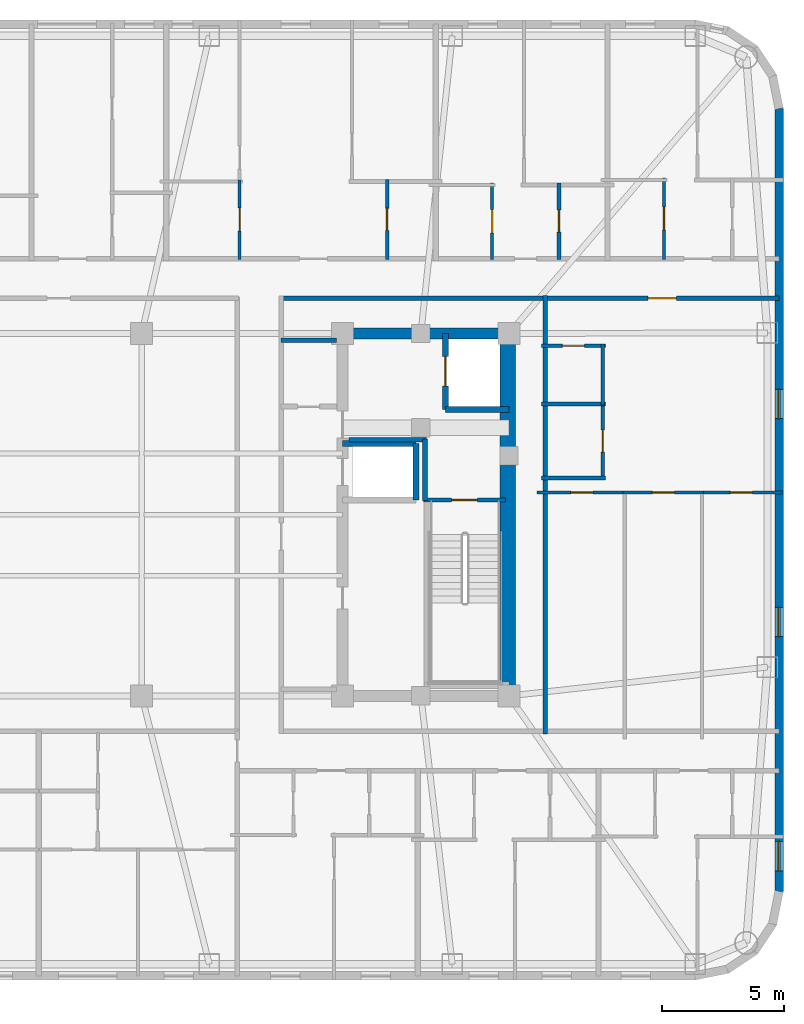
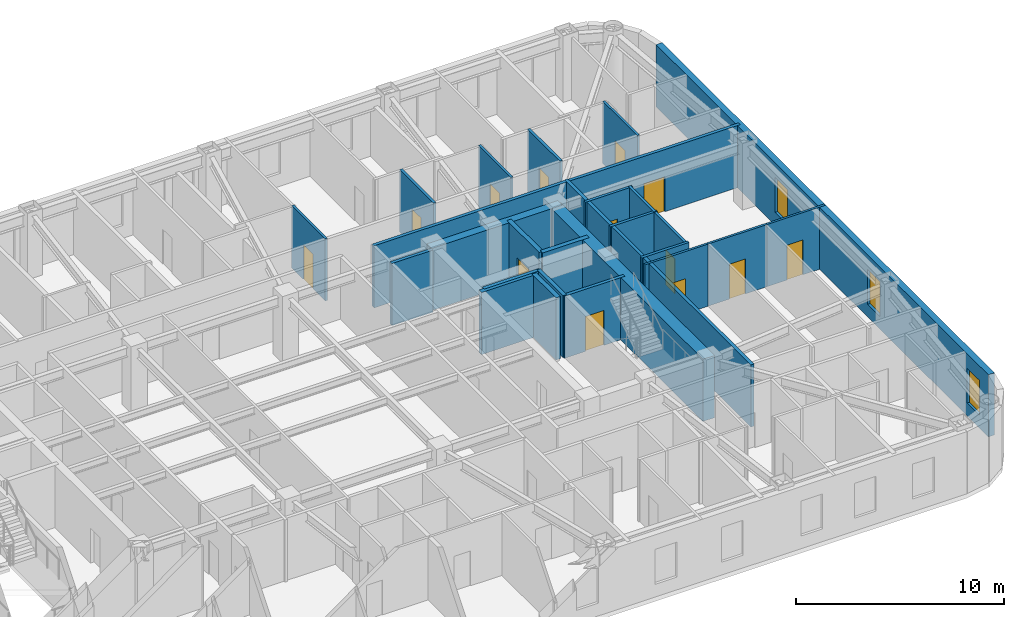
# One storey, part 7 of 11: 26 walls, 13 doors, 3 windows, 16 openings.
"""IFC4 building model written with IfcOpenShell, lengths in metres."""

import ifcopenshell
import ifcopenshell.guid

model = None  # the IFC model being written
_history = None  # IfcOwnerHistory: only IFC2X3 demands one
_inside = {}  # id of a spatial element -> (the spatial element, [elements in it])
_under = {}  # id of a project, library or spatial element -> (it, [spatial elements below it])
_declared = {}  # id of a project -> (the project, [libraries it declares])
_typed = {}  # id of a type object -> (the type object, [elements of that type])
_made_of = {}  # id of a material, layer set ... -> (it, [elements and type objects made of it])


def new_model(schema):
    """Start an empty IFC model of exactly this schema.

    Asked for "IFC4X3", IfcOpenShell would pick the latest addendum, in which some entities
    have other attributes; the version numbers below select the first issue.
    IFC2X3 requires an IfcOwnerHistory on every rooted entity: one is made here for all.
    """
    global model, _history
    if schema == "IFC4X3":
        model = ifcopenshell.file(schema_version=(4, 3, 0, 0))
    else:
        model = ifcopenshell.file(schema=schema)
    _inside.clear()
    _under.clear()
    _declared.clear()
    _typed.clear()
    _made_of.clear()
    _history = None
    if model.schema == "IFC2X3":
        org = make("IfcOrganization", Name="unknown")
        user = make(
            "IfcPersonAndOrganization",
            ThePerson=make("IfcPerson", FamilyName="unknown"),
            TheOrganization=org,
        )
        app = make(
            "IfcApplication",
            ApplicationDeveloper=org,
            Version="unknown",
            ApplicationFullName="unknown",
            ApplicationIdentifier="unknown",
        )
        _history = make(
            "IfcOwnerHistory",
            OwningUser=user,
            OwningApplication=app,
            ChangeAction="ADDED",
            CreationDate=0,
        )
    return model


def make(cls, **values):
    """One entity of the class cls with the attributes given. An attribute that is None is left unset."""
    return model.create_entity(
        cls, **{name: value for name, value in values.items() if value is not None}
    )


def rooted(cls, **values):
    """An entity with a GlobalId (a new one), such as an element, a storey or a relation."""
    return make(cls, GlobalId=ifcopenshell.guid.new(), OwnerHistory=_history, **values)


def si_unit(unit_type, name, prefix=None):
    """IfcSIUnit, for example si_unit("LENGTHUNIT", "METRE", prefix="MILLI")."""
    return make("IfcSIUnit", UnitType=unit_type, Prefix=prefix, Name=name)


def assignment(units):
    """IfcUnitAssignment: the units of a project."""
    return None if units is None else make("IfcUnitAssignment", Units=units)


def point(xyz):
    """IfcCartesianPoint."""
    return None if xyz is None else make("IfcCartesianPoint", Coordinates=xyz)


def direction(xyz):
    """IfcDirection."""
    return None if xyz is None else make("IfcDirection", DirectionRatios=xyz)


def frame(location, z_axis=None, x_axis=None):
    """IfcAxis2Placement3D, a coordinate frame: its origin and axes. An axis left out is left unset."""
    return make(
        "IfcAxis2Placement3D",
        Location=point(location),
        Axis=direction(z_axis),
        RefDirection=direction(x_axis),
    )


def frame_2d(location, x_axis=None):
    """IfcAxis2Placement2D, a coordinate frame in the plane: its origin and x axis."""
    return make(
        "IfcAxis2Placement2D", Location=point(location), RefDirection=direction(x_axis)
    )


def origin():
    """The frame at (0, 0, 0) with its axes left unset."""
    return frame((0.0, 0.0, 0.0))


def place(relative_to, where):
    """IfcLocalPlacement: puts the frame where relative to a parent placement (None: the world)."""
    return make(
        "IfcLocalPlacement", PlacementRelTo=relative_to, RelativePlacement=where
    )


def context(
    kind, dimensions, precision=None, world=None, true_north=None, identifier=None
):
    """IfcGeometricRepresentationContext, for example the 3D "Model" context."""
    return make(
        "IfcGeometricRepresentationContext",
        ContextIdentifier=identifier,
        ContextType=kind,
        CoordinateSpaceDimension=dimensions,
        Precision=precision,
        WorldCoordinateSystem=world,
        TrueNorth=true_north,
    )


def subcontext(parent, identifier, kind, view, scale=None):
    """IfcGeometricRepresentationSubContext, for example "Body" below "Model"."""
    return make(
        "IfcGeometricRepresentationSubContext",
        ContextIdentifier=identifier,
        ContextType=kind,
        ParentContext=parent,
        TargetScale=scale,
        TargetView=view,
    )


def project(units=None, contexts=None):
    """IfcProject with its units and contexts."""
    return rooted(
        "IfcProject",
        Name="project",
        RepresentationContexts=contexts,
        UnitsInContext=assignment(units),
    )


def spatial(cls, under=None, at=None, **own):
    """A site, building, storey or space (cls), placed at a placement, below another one or the project."""
    s = rooted(cls, ObjectPlacement=at, **own)
    if under is not None:
        _under.setdefault(under.id(), (under, []))[1].append(s)
    return s


def profile(cls, at=None, kind="AREA", **sizes):
    """A parametric profile (cls). Its sizes go by their IFC names, for example OverallWidth=200.0."""
    return make(cls, ProfileType=kind, Position=at, **sizes)


def rectangle(**sizes):
    """IfcRectangleProfileDef."""
    return profile("IfcRectangleProfileDef", **sizes)


def extrude(swept, where, along, depth):
    """IfcExtrudedAreaSolid: the profile swept, set in the frame where, extruded along a direction by depth."""
    return make(
        "IfcExtrudedAreaSolid",
        SweptArea=swept,
        Position=where,
        ExtrudedDirection=direction(along),
        Depth=depth,
    )


def shape(context_of_items, identifier, shape_type, items):
    """IfcShapeRepresentation: the items that make up one representation, for example the "Body"."""
    return make(
        "IfcShapeRepresentation",
        ContextOfItems=context_of_items,
        RepresentationIdentifier=identifier,
        RepresentationType=shape_type,
        Items=items,
    )


def material(Name=None, Category=None):
    """IfcMaterial."""
    return make("IfcMaterial", Name=Name, Category=Category)


def layer(
    of_material, thickness, ventilated=None, Name=None, Category=None, Priority=None
):
    """IfcMaterialLayer: one layer of a wall or slab, of a material (None: an air gap)."""
    return make(
        "IfcMaterialLayer",
        Material=of_material,
        LayerThickness=thickness,
        IsVentilated=ventilated,
        Name=Name,
        Category=Category,
        Priority=Priority,
    )


def layer_set(layers, Name=None):
    """IfcMaterialLayerSet."""
    return make("IfcMaterialLayerSet", MaterialLayers=layers, LayerSetName=Name)


def made_of(thing, what):
    """Note that an element or type object is made of a material, layer set ...; save() writes the relation."""
    if what is not None:
        _made_of.setdefault(what.id(), (what, []))[1].append(thing)
    return thing


def type_object(cls, material=None, **own):
    """A type object (cls), such as IfcWallType, which elements share."""
    return made_of(rooted(cls, **own), material)


def element(
    cls,
    number,
    at=None,
    inside=None,
    cuts=None,
    type_object=None,
    material=None,
    context=None,
    identifier="Body",
    shape_type=None,
    held_by="IfcProductDefinitionShape",
    body=None,
    shapes=None,
    **own,
):
    """One element of the class cls, such as IfcWall. Its Tag is "e" and its number.

    at: its placement. inside: the storey or other place that contains it. cuts: it is an
    opening in that element (IfcRelVoidsElement). A single representation is given by context,
    identifier, shape_type and body (its items); several are given by shapes. held_by: the class
    of the entity that holds the representations. save() writes the other relations.
    """
    e = rooted(cls, Tag="e%d" % number, ObjectPlacement=at, **own)
    if body is not None:
        shapes = [shape(context, identifier, shape_type, body)]
    if shapes is not None:
        e.Representation = make(held_by, Representations=shapes)
    if inside is not None:
        _inside.setdefault(inside.id(), (inside, []))[1].append(e)
    if cuts is not None:
        rooted(
            "IfcRelVoidsElement", RelatingBuildingElement=cuts, RelatedOpeningElement=e
        )
    if type_object is not None:
        _typed.setdefault(type_object.id(), (type_object, []))[1].append(e)
    return made_of(e, material)


def fill(opening, filler):
    """IfcRelFillsElement: the door or window that sits in an opening."""
    return rooted(
        "IfcRelFillsElement",
        RelatingOpeningElement=opening,
        RelatedBuildingElement=filler,
    )


def aggregate(whole, parts):
    """IfcRelAggregates: a whole, such as a stair, and the parts it consists of."""
    return rooted("IfcRelAggregates", RelatingObject=whole, RelatedObjects=parts)


def save(model, path):
    """Write the relations noted so far, then the file.

    IfcRelAggregates (storeys below a building ...), IfcRelContainedInSpatialStructure (elements
    in a storey), IfcRelDefinesByType, IfcRelAssociatesMaterial and IfcRelDeclares: one each for
    every whole, place, type object, material and project.
    """
    for whole, parts in _under.values():
        aggregate(whole, parts)
    for where, things in _inside.values():
        rooted(
            "IfcRelContainedInSpatialStructure",
            RelatedElements=things,
            RelatingStructure=where,
        )
    for kind, things in _typed.values():
        rooted("IfcRelDefinesByType", RelatedObjects=things, RelatingType=kind)
    for what, things in _made_of.values():
        rooted("IfcRelAssociatesMaterial", RelatedObjects=things, RelatingMaterial=what)
    for by, libraries in _declared.values():
        rooted("IfcRelDeclares", RelatingContext=by, RelatedDefinitions=libraries)
    model.write(path)


model = new_model("IFC4")

# Units and contexts
model_context = context("Model", 3, precision=1e-05, world=origin(), true_north=direction((0.0, 1.0)))
body_context = subcontext(model_context, "Body", "Model", "MODEL_VIEW")
ifc_project = project(units=[si_unit("LENGTHUNIT", "METRE"), si_unit("AREAUNIT", "SQUARE_METRE"), si_unit("VOLUMEUNIT", "CUBIC_METRE"), si_unit("PLANEANGLEUNIT", "RADIAN"), si_unit("MASSUNIT", "GRAM", prefix="KILO")], contexts=[model_context])

# Site, building, storey
site_placement = place(None, origin())
site = spatial("IfcSite", under=ifc_project, at=site_placement, CompositionType="ELEMENT")
building_placement = place(site_placement, origin())
building = spatial("IfcBuilding", under=site, at=building_placement, Name="Voryun Gate Residences", CompositionType="ELEMENT")
storey_placement = place(building_placement, frame((0.0, 0.0, 239.199951171875)))
storey = spatial("IfcBuildingStorey", under=building, at=storey_placement, Name="L59", CompositionType="ELEMENT", Elevation=239.199951171875)

# Walls
ifc_material_1 = material(Name="Concrete C50/60", Category="concrete")
ifc_layer_1 = layer(ifc_material_1, 0.449951171875, Name="CW_CORE_450")
ifc_layer_set_1 = layer_set([ifc_layer_1], Name="Concrete C50/60")
wall_type_1 = type_object("IfcWallType", Name="CW_CORE_450", PredefinedType="SHEAR", material=ifc_layer_set_1)
wall_1_placement = place(storey_placement, frame((12.175048828125, 7.39990234375, 0.0), z_axis=(0.0, 0.0, 1.0), x_axis=(1.0, 0.0, 0.0)))
element("IfcWall", 1, at=wall_1_placement, inside=storey, type_object=wall_type_1, Name="L59 Core shear wall CW-L59-EN", PredefinedType="SHEAR", context=body_context, shape_type="SweptSolid", body=[
    extrude(rectangle(XDim=7.25, YDim=0.449951171875, at=frame_2d((3.625, 0.0))), origin(), (0.0, 0.0, 1.0), 3.650146484375),
])
ifc_material_2 = material(Name="Concrete C60/75", Category="concrete")
ifc_layer_2 = layer(ifc_material_2, 0.64990234375, Name="CW_CORE_650")
ifc_layer_set_2 = layer_set([ifc_layer_2], Name="Concrete C60/75")
wall_type_2 = type_object("IfcWallType", Name="CW_CORE_650", PredefinedType="SHEAR", material=ifc_layer_set_2)
wall_2_placement = place(storey_placement, frame((19.14501953125, -7.39990234375, 0.0), z_axis=(0.0, 0.0, 1.0), x_axis=(0.0, 1.0, 0.0)))
element("IfcWall", 2, at=wall_2_placement, inside=storey, type_object=wall_type_2, Name="L59 Core shear wall CW-L59-EE", PredefinedType="SHEAR", context=body_context, shape_type="SweptSolid", body=[
    extrude(rectangle(XDim=14.7998046875, YDim=0.64990234375, at=frame_2d((7.39990234375, 0.0))), origin(), (0.0, 0.0, 1.0), 3.650146484375),
])

# Wall, opening, door
ifc_material_3 = material(Name="Gypsum acoustic fireboard")
ifc_layer_3 = layer(ifc_material_3, 0.179931640625, Name="W_CORR_RATED_180")
ifc_layer_set_3 = layer_set([ifc_layer_3], Name="Gypsum acoustic fireboard")
wall_type_3 = type_object("IfcWallType", Name="W_CORR_RATED_180", PredefinedType="PARTITIONING", material=ifc_layer_set_3)
wall_3_placement = place(storey_placement, frame((15.699951171875, 0.60009765625, 0.0), z_axis=(0.0, 0.0, 1.0), x_axis=(1.0, 0.0, 0.0)))
wall_3 = element("IfcWall", 3, at=wall_3_placement, inside=storey, type_object=wall_type_3, Name="Partition wall WP-L59-STV-E", PredefinedType="PARTITIONING", context=body_context, shape_type="SweptSolid", body=[
    extrude(rectangle(XDim=3.360107421875, YDim=0.179931640625, at=frame_2d((1.68017578125, 0.0))), origin(), (0.0, 0.0, 1.0), 3.650146484375),
])
opening_1_placement = place(wall_3_placement, frame((1.155029296875, 0.0, 0.0)))
opening_1 = element("IfcOpeningElement", 4, at=opening_1_placement, cuts=wall_3, Name="Opening D-FD60-1", PredefinedType="OPENING", context=body_context, shape_type="SweptSolid", body=[
    extrude(rectangle(XDim=1.050048828125, YDim=2.050048828125, at=frame_2d((0.52490234375, 1.02490234375))), frame((0.0, 0.099853515625, 0.0), z_axis=(0.0, -1.0, 0.0), x_axis=(1.0, 0.0, 0.0)), (0.0, 0.0, 1.0), 0.199951171875),
])
ifc_material_4 = material(Name="Painted steel fire door", Category="steel")
door_type_1 = type_object("IfcDoorType", Name="DR_FD60_STAIR_1050", OperationType="NOTDEFINED", PredefinedType="DOOR", material=ifc_material_4)
door_1_placement = place(opening_1_placement, origin())
door_1 = element("IfcDoor", 5, at=door_1_placement, inside=storey, type_object=door_type_1, Name="Door DR-L59-ST-E", OperationType="SINGLE_SWING_RIGHT", OverallHeight=2.050048828125, OverallWidth=1.050048828125, PredefinedType="DOOR", context=body_context, shape_type="SweptSolid", body=[
    extrude(rectangle(XDim=1.050048828125, YDim=2.050048828125, at=frame_2d((0.52490234375, 1.02490234375))), frame((0.0, 0.02490234375, 0.0), z_axis=(0.0, -1.0, 0.0), x_axis=(1.0, 0.0, 0.0)), (0.0, 0.0, 1.0), 0.050048828125),
])
fill(opening_1, door_1)

# Wall
wall_4_placement = place(storey_placement, frame((9.8798828125, 7.1201171875, 0.0), z_axis=(0.0, 0.0, 1.0), x_axis=(1.0, 0.0, 0.0)))
element("IfcWall", 6, at=wall_4_placement, inside=storey, type_object=wall_type_3, Name="Partition wall WP-L59-PLBN-E", PredefinedType="PARTITIONING", context=body_context, shape_type="SweptSolid", body=[
    extrude(rectangle(XDim=2.27001953125, YDim=0.179931640625, at=frame_2d((1.135009765625, 0.0))), origin(), (0.0, 0.0, 1.0), 3.650146484375),
])

# Wall, opening, door
wall_5_placement = place(storey_placement, frame((9.8798828125, 8.840087890625, 0.0), z_axis=(0.0, 0.0, 1.0), x_axis=(1.0, 0.0, 0.0)))
wall_5 = element("IfcWall", 7, at=wall_5_placement, inside=storey, type_object=wall_type_3, Name="Partition wall WP-L59-CWING-EN", PredefinedType="PARTITIONING", context=body_context, shape_type="SweptSolid", body=[
    extrude(rectangle(XDim=20.35009765625, YDim=0.179931640625, at=frame_2d((10.175048828125, 0.0))), origin(), (0.0, 0.0, 1.0), 3.650146484375),
])
opening_2_placement = place(wall_5_placement, frame((15.0009765625, 0.0, 0.0)))
opening_2 = element("IfcOpeningElement", 8, at=opening_2_placement, cuts=wall_5, Name="Opening D-UNIT-1", PredefinedType="OPENING", context=body_context, shape_type="SweptSolid", body=[
    extrude(rectangle(XDim=1.14990234375, YDim=2.050048828125, at=frame_2d((0.574951171875, 1.02490234375))), frame((0.0, 0.099853515625, 0.0), z_axis=(0.0, -1.0, 0.0), x_axis=(1.0, 0.0, 0.0)), (0.0, 0.0, 1.0), 0.199951171875),
])
ifc_material_5 = material(Name="Armoured timber-clad fire door", Category="wood")
door_type_2 = type_object("IfcDoorType", Name="DR_UNIT_ENTRY_1150", OperationType="NOTDEFINED", PredefinedType="DOOR", material=ifc_material_5)
door_2_placement = place(opening_2_placement, origin())
door_2 = element("IfcDoor", 9, at=door_2_placement, inside=storey, type_object=door_type_2, Name="Door DR-L59-EE1N", OperationType="SINGLE_SWING_LEFT", OverallHeight=2.050048828125, OverallWidth=1.14990234375, PredefinedType="DOOR", context=body_context, shape_type="SweptSolid", body=[
    extrude(rectangle(XDim=1.14990234375, YDim=2.050048828125, at=frame_2d((0.574951171875, 1.02490234375))), frame((0.0, 0.02490234375, 0.0), z_axis=(0.0, -1.0, 0.0), x_axis=(1.0, 0.0, 0.0)), (0.0, 0.0, 1.0), 0.050048828125),
])
fill(opening_2, door_2)

# Wall
wall_6_placement = place(storey_placement, frame((20.669921875, -8.9599609375, 0.0), z_axis=(0.0, 0.0, 1.0), x_axis=(0.0, 1.0, 0.0)))
element("IfcWall", 10, at=wall_6_placement, inside=storey, type_object=wall_type_3, Name="Partition wall WP-L59-ECOR", PredefinedType="PARTITIONING", context=body_context, shape_type="SweptSolid", body=[
    extrude(rectangle(XDim=17.919921875, YDim=0.179931640625, at=frame_2d((8.9599609375, 0.0))), origin(), (0.0, 0.0, 1.0), 3.650146484375),
])

# Wall, openings, windows
ifc_material_6 = material(Name="Charcoal terracotta masonry", Category="masonry")
ifc_layer_4 = layer(ifc_material_6, 0.340087890625, Name="W_EXT_TERRACOTTA_340")
ifc_layer_set_4 = layer_set([ifc_layer_4], Name="Charcoal terracotta masonry")
wall_type_4 = type_object("IfcWallType", Name="W_EXT_TERRACOTTA_340", PredefinedType="ELEMENTEDWALL", material=ifc_layer_set_4)
wall_7_placement = place(storey_placement, frame((30.22998046875, 16.583251953125, 0.0), z_axis=(0.0, 0.0, 1.0), x_axis=(0.0, -1.0, 0.0)))
wall_7 = element("IfcWall", 11, at=wall_7_placement, inside=storey, type_object=wall_type_4, Name="Exterior wall WEXT-L59-16", PredefinedType="ELEMENTEDWALL", context=body_context, shape_type="SweptSolid", body=[
    extrude(rectangle(XDim=31.966552734375, YDim=0.340087890625, at=frame_2d((15.9833984375, 0.0))), origin(), (0.0, 0.0, 1.0), 3.650146484375),
])
opening_3_placement = place(wall_7_placement, frame((29.923583984375, 0.0, 0.75)))
opening_3 = element("IfcOpeningElement", 12, at=opening_3_placement, cuts=wall_7, Name="Opening WN6", PredefinedType="OPENING", context=body_context, shape_type="SweptSolid", body=[
    extrude(rectangle(XDim=1.199951171875, YDim=2.050048828125, at=frame_2d((0.60009765625, 1.02490234375))), frame((0.0, 0.179931640625, 0.0), z_axis=(0.0, -1.0, 0.0), x_axis=(1.0, 0.0, 0.0)), (0.0, 0.0, 1.0), 0.360107421875),
])
opening_4_placement = place(wall_7_placement, frame((11.46337890625, 0.0, 0.75)))
opening_4 = element("IfcOpeningElement", 13, at=opening_4_placement, cuts=wall_7, Name="Opening WN6", PredefinedType="OPENING", context=body_context, shape_type="SweptSolid", body=[
    extrude(rectangle(XDim=1.199951171875, YDim=2.050048828125, at=frame_2d((0.60009765625, 1.02490234375))), frame((0.0, 0.179931640625, 0.0), z_axis=(0.0, -1.0, 0.0), x_axis=(1.0, 0.0, 0.0)), (0.0, 0.0, 1.0), 0.360107421875),
])
opening_5_placement = place(wall_7_placement, frame((20.36328125, 0.0, 0.75)))
opening_5 = element("IfcOpeningElement", 14, at=opening_5_placement, cuts=wall_7, Name="Opening WN6", PredefinedType="OPENING", context=body_context, shape_type="SweptSolid", body=[
    extrude(rectangle(XDim=1.199951171875, YDim=2.050048828125, at=frame_2d((0.60009765625, 1.02490234375))), frame((0.0, 0.179931640625, 0.0), z_axis=(0.0, -1.0, 0.0), x_axis=(1.0, 0.0, 0.0)), (0.0, 0.0, 1.0), 0.360107421875),
])
ifc_material_7 = material(Name="Laminated low-E glass", Category="glass")
window_type = type_object("IfcWindowType", Name="WN_POD_SLOT_1200", PartitioningType="SINGLE_PANEL", PredefinedType="WINDOW", material=ifc_material_7)
window_1_placement = place(opening_3_placement, origin())
window_1 = element("IfcWindow", 15, at=window_1_placement, inside=storey, type_object=window_type, Name="Window WN-L59-DWFIX-23", OverallHeight=2.050048828125, OverallWidth=1.199951171875, PartitioningType="SINGLE_PANEL", PredefinedType="WINDOW", context=body_context, shape_type="SweptSolid", body=[
    extrude(rectangle(XDim=1.199951171875, YDim=2.050048828125, at=frame_2d((0.60009765625, 1.02490234375))), frame((0.0, 0.030029296875, 0.0), z_axis=(0.0, -1.0, 0.0), x_axis=(1.0, 0.0, 0.0)), (0.0, 0.0, 1.0), 0.06005859375),
])
fill(opening_3, window_1)
window_2_placement = place(opening_4_placement, origin())
window_2 = element("IfcWindow", 16, at=window_2_placement, inside=storey, type_object=window_type, Name="Window WN-L59-DWFIX-29", OverallHeight=2.050048828125, OverallWidth=1.199951171875, PartitioningType="SINGLE_PANEL", PredefinedType="WINDOW", context=body_context, shape_type="SweptSolid", body=[
    extrude(rectangle(XDim=1.199951171875, YDim=2.050048828125, at=frame_2d((0.60009765625, 1.02490234375))), frame((0.0, 0.030029296875, 0.0), z_axis=(0.0, -1.0, 0.0), x_axis=(1.0, 0.0, 0.0)), (0.0, 0.0, 1.0), 0.06005859375),
])
fill(opening_4, window_2)
window_3_placement = place(opening_5_placement, origin())
window_3 = element("IfcWindow", 17, at=window_3_placement, inside=storey, type_object=window_type, Name="Window WN-L59-DWFIX-30", OverallHeight=2.050048828125, OverallWidth=1.199951171875, PartitioningType="SINGLE_PANEL", PredefinedType="WINDOW", context=body_context, shape_type="SweptSolid", body=[
    extrude(rectangle(XDim=1.199951171875, YDim=2.050048828125, at=frame_2d((0.60009765625, 1.02490234375))), frame((0.0, 0.030029296875, 0.0), z_axis=(0.0, -1.0, 0.0), x_axis=(1.0, 0.0, 0.0)), (0.0, 0.0, 1.0), 0.06005859375),
])
fill(opening_5, window_3)

# Walls
ifc_material_8 = material(Name="Concrete C40/50", Category="concrete")
ifc_layer_5 = layer(ifc_material_8, 0.199951171875, Name="W_FF_LOBBY_200")
ifc_layer_set_5 = layer_set([ifc_layer_5], Name="Concrete C40/50")
wall_type_5 = type_object("IfcWallType", Name="W_FF_LOBBY_200", PredefinedType="PARTITIONING", material=ifc_layer_set_5)
wall_8_placement = place(storey_placement, frame((15.760009765625, 0.580078125, 0.0), z_axis=(0.0, 0.0, 1.0), x_axis=(0.0, 1.0, 0.0)))
element("IfcWall", 18, at=wall_8_placement, inside=storey, type_object=wall_type_5, Name="Partition wall WP-L59-FFP0-E", PredefinedType="PARTITIONING", context=body_context, shape_type="SweptSolid", body=[
    extrude(rectangle(XDim=2.52001953125, YDim=0.199951171875, at=frame_2d((1.260009765625, 0.0))), origin(), (0.0, 0.0, 1.0), 3.650146484375),
])
wall_9_placement = place(storey_placement, frame((12.659912109375, 3.06005859375, 0.0), z_axis=(0.0, 0.0, 1.0), x_axis=(1.0, 0.0, 0.0)))
element("IfcWall", 19, at=wall_9_placement, inside=storey, type_object=wall_type_5, Name="Partition wall WP-L59-FFPS-E", PredefinedType="PARTITIONING", context=body_context, shape_type="SweptSolid", body=[
    extrude(rectangle(XDim=3.16015625, YDim=0.199951171875, at=frame_2d((1.580078125, 0.0))), origin(), (0.0, 0.0, 1.0), 3.650146484375),
])
ifc_material_9 = material(Name="Concrete C50/60", Category="concrete")
ifc_layer_6 = layer(ifc_material_9, 0.25, Name="W_SHAFT_RC250")
ifc_layer_set_6 = layer_set([ifc_layer_6], Name="Concrete C50/60")
wall_type_6 = type_object("IfcWallType", Name="W_SHAFT_RC250", PredefinedType="SOLIDWALL", material=ifc_layer_set_6)
wall_10_placement = place(storey_placement, frame((16.60009765625, 4.300048828125, 0.0), z_axis=(0.0, 0.0, 1.0), x_axis=(1.0, 0.0, 0.0)))
element("IfcWall", 20, at=wall_10_placement, inside=storey, type_object=wall_type_6, Name="Lift shaft wall WSH-L59-EL-FF-E1-S", PredefinedType="SOLIDWALL", context=body_context, shape_type="SweptSolid", body=[
    extrude(rectangle(XDim=2.599853515625, YDim=0.25, at=frame_2d((1.2998046875, 0.0))), origin(), (0.0, 0.0, 1.0), 3.650146484375),
])

# Wall, opening, door
wall_11_placement = place(storey_placement, frame((16.60009765625, 7.39990234375, 0.0), z_axis=(0.0, 0.0, 1.0), x_axis=(0.0, -1.0, 0.0)))
wall_11 = element("IfcWall", 21, at=wall_11_placement, inside=storey, type_object=wall_type_6, Name="Lift shaft wall WSH-L59-EL-FF-E1-W", PredefinedType="SOLIDWALL", context=body_context, shape_type="SweptSolid", body=[
    extrude(rectangle(XDim=3.099853515625, YDim=0.25, at=frame_2d((1.5498046875, 0.0))), origin(), (0.0, 0.0, 1.0), 3.650146484375),
])
opening_6_placement = place(wall_11_placement, frame((0.949951171875, 0.0, 0.0)))
opening_6 = element("IfcOpeningElement", 22, at=opening_6_placement, cuts=wall_11, Name="Opening LD1", PredefinedType="OPENING", context=body_context, shape_type="SweptSolid", body=[
    extrude(rectangle(XDim=1.199951171875, YDim=2.050048828125, at=frame_2d((0.60009765625, 1.02490234375))), frame((0.0, 0.135009765625, 0.0), z_axis=(0.0, -1.0, 0.0), x_axis=(1.0, 0.0, 0.0)), (0.0, 0.0, 1.0), 0.27001953125),
])
ifc_material_10 = material(Name="Anodised aluminium", Category="aluminium")
door_type_3 = type_object("IfcDoorType", Name="DR_LD_FF_1200", OperationType="NOTDEFINED", PredefinedType="DOOR", material=ifc_material_10)
door_3_placement = place(opening_6_placement, origin())
door_3 = element("IfcDoor", 23, at=door_3_placement, inside=storey, type_object=door_type_3, Name="Lift EL-FF-E1 sliding landing door L59", OperationType="SLIDING_TO_LEFT", OverallHeight=2.050048828125, OverallWidth=1.199951171875, PredefinedType="DOOR", context=body_context, shape_type="SweptSolid", body=[
    extrude(rectangle(XDim=1.199951171875, YDim=2.050048828125, at=frame_2d((0.60009765625, 1.02490234375))), frame((0.0, 0.02490234375, 0.0), z_axis=(0.0, -1.0, 0.0), x_axis=(1.0, 0.0, 0.0)), (0.0, 0.0, 1.0), 0.050048828125),
])
fill(opening_6, door_3)

# Walls
wall_12_placement = place(storey_placement, frame((15.39990234375, 0.60009765625, 0.0), z_axis=(0.0, 0.0, 1.0), x_axis=(0.0, 1.0, 0.0)))
element("IfcWall", 24, at=wall_12_placement, inside=storey, type_object=wall_type_6, Name="Lift shaft wall WSH-L59-EL-P8-E", PredefinedType="SOLIDWALL", context=body_context, shape_type="SweptSolid", body=[
    extrude(rectangle(XDim=2.2998046875, YDim=0.25, at=frame_2d((1.14990234375, 0.0))), origin(), (0.0, 0.0, 1.0), 3.650146484375),
])
wall_13_placement = place(storey_placement, frame((15.39990234375, 2.89990234375, 0.0), z_axis=(0.0, 0.0, 1.0), x_axis=(-1.0, 0.0, 0.0)))
element("IfcWall", 25, at=wall_13_placement, inside=storey, type_object=wall_type_6, Name="Lift shaft wall WSH-L59-EL-P8-N", PredefinedType="SOLIDWALL", context=body_context, shape_type="SweptSolid", body=[
    extrude(rectangle(XDim=3.0, YDim=0.25, at=frame_2d((1.5, 0.0))), origin(), (0.0, 0.0, 1.0), 3.650146484375),
])

# Wall, opening, door
ifc_material_11 = material(Name="Gypsum acoustic partition")
ifc_layer_7 = layer(ifc_material_11, 0.125, Name="W_UNIT_PART_125")
ifc_layer_set_7 = layer_set([ifc_layer_7], Name="Gypsum acoustic partition")
wall_type_7 = type_object("IfcWallType", Name="W_UNIT_PART_125", PredefinedType="PARTITIONING", material=ifc_layer_set_7)
wall_14_placement = place(storey_placement, frame((8.197998046875, 10.429931640625, 0.0), z_axis=(0.0, 0.0, 1.0), x_axis=(0.0, 1.0, 0.0)))
wall_14 = element("IfcWall", 26, at=wall_14_placement, inside=storey, type_object=wall_type_7, Name="Partition wall WP-L59-N6-IVK", PredefinedType="PARTITIONING", context=body_context, shape_type="SweptSolid", body=[
    extrude(rectangle(XDim=3.235595703125, YDim=0.125, at=frame_2d((1.61767578125, 0.0))), origin(), (0.0, 0.0, 1.0), 3.650146484375),
])
opening_7_placement = place(wall_14_placement, frame((1.151611328125, 0.0, 0.0)))
opening_7 = element("IfcOpeningElement", 27, at=opening_7_placement, cuts=wall_14, Name="Opening D-INT-1", PredefinedType="OPENING", context=body_context, shape_type="SweptSolid", body=[
    extrude(rectangle(XDim=0.949951171875, YDim=2.050048828125, at=frame_2d((0.47509765625, 1.02490234375))), frame((0.0, 0.072509765625, 0.0), z_axis=(0.0, -1.0, 0.0), x_axis=(1.0, 0.0, 0.0)), (0.0, 0.0, 1.0), 0.14501953125),
])
ifc_material_12 = material(Name="Architectural oak veneer")
door_type_4 = type_object("IfcDoorType", Name="DR_INT_ROOM_950", OperationType="NOTDEFINED", PredefinedType="DOOR", material=ifc_material_12)
door_4_placement = place(opening_7_placement, origin())
door_4 = element("IfcDoor", 28, at=door_4_placement, inside=storey, type_object=door_type_4, Name="Door DR-L59-N6-DK", OperationType="SINGLE_SWING_LEFT", OverallHeight=2.050048828125, OverallWidth=0.949951171875, PredefinedType="DOOR", context=body_context, shape_type="SweptSolid", body=[
    extrude(rectangle(XDim=0.949951171875, YDim=2.050048828125, at=frame_2d((0.47509765625, 1.02490234375))), frame((0.0, 0.02490234375, 0.0), z_axis=(0.0, -1.0, 0.0), x_axis=(1.0, 0.0, 0.0)), (0.0, 0.0, 1.0), 0.050048828125),
])
fill(opening_7, door_4)

wall_15_placement = place(storey_placement, frame((18.510009765625, 10.429931640625, 0.0), z_axis=(0.0, 0.0, 1.0), x_axis=(0.0, 1.0, 0.0)))
wall_15 = element("IfcWall", 29, at=wall_15_placement, inside=storey, type_object=wall_type_7, Name="Partition wall WP-L59-N7-IVK", PredefinedType="PARTITIONING", context=body_context, shape_type="SweptSolid", body=[
    extrude(rectangle(XDim=3.110107421875, YDim=0.125, at=frame_2d((1.55517578125, 0.0))), origin(), (0.0, 0.0, 1.0), 3.650146484375),
])
opening_8_placement = place(wall_15_placement, frame((1.080078125, 0.0, 0.0)))
opening_8 = element("IfcOpeningElement", 30, at=opening_8_placement, cuts=wall_15, Name="Opening D-INT-1", PredefinedType="OPENING", context=body_context, shape_type="SweptSolid", body=[
    extrude(rectangle(XDim=0.949951171875, YDim=2.050048828125, at=frame_2d((0.47509765625, 1.02490234375))), frame((0.0, 0.072509765625, 0.0), z_axis=(0.0, -1.0, 0.0), x_axis=(1.0, 0.0, 0.0)), (0.0, 0.0, 1.0), 0.14501953125),
])
door_5_placement = place(opening_8_placement, origin())
door_5 = element("IfcDoor", 31, at=door_5_placement, inside=storey, type_object=door_type_4, Name="Door DR-L59-N7-DK", OperationType="SINGLE_SWING_LEFT", OverallHeight=2.050048828125, OverallWidth=0.949951171875, PredefinedType="DOOR", context=body_context, shape_type="SweptSolid", body=[
    extrude(rectangle(XDim=0.949951171875, YDim=2.050048828125, at=frame_2d((0.47509765625, 1.02490234375))), frame((0.0, 0.02490234375, 0.0), z_axis=(0.0, -1.0, 0.0), x_axis=(1.0, 0.0, 0.0)), (0.0, 0.0, 1.0), 0.050048828125),
])
fill(opening_8, door_5)

wall_16_placement = place(storey_placement, frame((25.528076171875, 10.429931640625, 0.0), z_axis=(0.0, 0.0, 1.0), x_axis=(0.0, 1.0, 0.0)))
wall_16 = element("IfcWall", 32, at=wall_16_placement, inside=storey, type_object=wall_type_7, Name="Partition wall WP-L59-N8-IVK", PredefinedType="PARTITIONING", context=body_context, shape_type="SweptSolid", body=[
    extrude(rectangle(XDim=3.320068359375, YDim=0.125, at=frame_2d((1.66015625, 0.0))), origin(), (0.0, 0.0, 1.0), 3.650146484375),
])
opening_9_placement = place(wall_16_placement, frame((1.18505859375, 0.0, 0.0)))
opening_9 = element("IfcOpeningElement", 33, at=opening_9_placement, cuts=wall_16, Name="Opening D-INT-1", PredefinedType="OPENING", context=body_context, shape_type="SweptSolid", body=[
    extrude(rectangle(XDim=0.949951171875, YDim=2.050048828125, at=frame_2d((0.47509765625, 1.02490234375))), frame((0.0, 0.072509765625, 0.0), z_axis=(0.0, -1.0, 0.0), x_axis=(1.0, 0.0, 0.0)), (0.0, 0.0, 1.0), 0.14501953125),
])
door_6_placement = place(opening_9_placement, origin())
door_6 = element("IfcDoor", 34, at=door_6_placement, inside=storey, type_object=door_type_4, Name="Door DR-L59-N8-DK", OperationType="SINGLE_SWING_LEFT", OverallHeight=2.050048828125, OverallWidth=0.949951171875, PredefinedType="DOOR", context=body_context, shape_type="SweptSolid", body=[
    extrude(rectangle(XDim=0.949951171875, YDim=2.050048828125, at=frame_2d((0.47509765625, 1.02490234375))), frame((0.0, 0.02490234375, 0.0), z_axis=(0.0, -1.0, 0.0), x_axis=(1.0, 0.0, 0.0)), (0.0, 0.0, 1.0), 0.050048828125),
])
fill(opening_9, door_6)

wall_17_placement = place(storey_placement, frame((20.35009765625, 0.909912109375, 0.0), z_axis=(0.0, 0.0, 1.0), x_axis=(1.0, 0.0, 0.0)))
wall_17 = element("IfcWall", 35, at=wall_17_placement, inside=storey, type_object=wall_type_7, Name="Partition wall WP-L59-E1-HZMB1", PredefinedType="PARTITIONING", context=body_context, shape_type="SweptSolid", body=[
    extrude(rectangle(XDim=3.635498046875, YDim=0.125, at=frame_2d((1.81787109375, 0.0))), origin(), (0.0, 0.0, 1.0), 3.650146484375),
])
opening_10_placement = place(wall_17_placement, frame((1.37646484375, 0.0, 0.0)))
opening_10 = element("IfcOpeningElement", 36, at=opening_10_placement, cuts=wall_17, Name="Opening D-INT-2", PredefinedType="OPENING", context=body_context, shape_type="SweptSolid", body=[
    extrude(rectangle(XDim=0.89990234375, YDim=2.050048828125, at=frame_2d((0.449951171875, 1.02490234375))), frame((0.0, 0.072509765625, 0.0), z_axis=(0.0, -1.0, 0.0), x_axis=(1.0, 0.0, 0.0)), (0.0, 0.0, 1.0), 0.14501953125),
])
ifc_material_13 = material(Name="Architectural oak veneer")
door_type_5 = type_object("IfcDoorType", Name="DR_INT_BATH_900", OperationType="NOTDEFINED", PredefinedType="DOOR", material=ifc_material_13)
door_7_placement = place(opening_10_placement, origin())
door_7 = element("IfcDoor", 37, at=door_7_placement, inside=storey, type_object=door_type_5, Name="Door DR-L59-E1-DMB", OperationType="SINGLE_SWING_LEFT", OverallHeight=2.050048828125, OverallWidth=0.89990234375, PredefinedType="DOOR", context=body_context, shape_type="SweptSolid", body=[
    extrude(rectangle(XDim=0.89990234375, YDim=2.050048828125, at=frame_2d((0.449951171875, 1.02490234375))), frame((0.0, 0.02490234375, 0.0), z_axis=(0.0, -1.0, 0.0), x_axis=(1.0, 0.0, 0.0)), (0.0, 0.0, 1.0), 0.050048828125),
])
fill(opening_10, door_7)

wall_18_placement = place(storey_placement, frame((23.860595703125, 0.909912109375, 0.0), z_axis=(0.0, 0.0, 1.0), x_axis=(1.0, 0.0, 0.0)))
wall_18 = element("IfcWall", 38, at=wall_18_placement, inside=storey, type_object=wall_type_7, Name="Partition wall WP-L59-E1-HZMB2", PredefinedType="PARTITIONING", context=body_context, shape_type="SweptSolid", body=[
    extrude(rectangle(XDim=3.281982421875, YDim=0.125, at=frame_2d((1.64111328125, 0.0))), origin(), (0.0, 0.0, 1.0), 3.650146484375),
])
opening_11_placement = place(wall_18_placement, frame((1.19091796875, 0.0, 0.0)))
opening_11 = element("IfcOpeningElement", 39, at=opening_11_placement, cuts=wall_18, Name="Opening D-INT-2", PredefinedType="OPENING", context=body_context, shape_type="SweptSolid", body=[
    extrude(rectangle(XDim=0.89990234375, YDim=2.050048828125, at=frame_2d((0.449951171875, 1.02490234375))), frame((0.0, 0.072509765625, 0.0), z_axis=(0.0, -1.0, 0.0), x_axis=(1.0, 0.0, 0.0)), (0.0, 0.0, 1.0), 0.14501953125),
])
door_8_placement = place(opening_11_placement, origin())
door_8 = element("IfcDoor", 40, at=door_8_placement, inside=storey, type_object=door_type_5, Name="Door DR-L59-E1-DBD2", OperationType="SINGLE_SWING_RIGHT", OverallHeight=2.050048828125, OverallWidth=0.89990234375, PredefinedType="DOOR", context=body_context, shape_type="SweptSolid", body=[
    extrude(rectangle(XDim=0.89990234375, YDim=2.050048828125, at=frame_2d((0.449951171875, 1.02490234375))), frame((0.0, 0.02490234375, 0.0), z_axis=(0.0, -1.0, 0.0), x_axis=(1.0, 0.0, 0.0)), (0.0, 0.0, 1.0), 0.050048828125),
])
fill(opening_11, door_8)

wall_19_placement = place(storey_placement, frame((27.017578125, 0.909912109375, 0.0), z_axis=(0.0, 0.0, 1.0), x_axis=(1.0, 0.0, 0.0)))
wall_19 = element("IfcWall", 41, at=wall_19_placement, inside=storey, type_object=wall_type_7, Name="Partition wall WP-L59-E1-HZMB3", PredefinedType="PARTITIONING", context=body_context, shape_type="SweptSolid", body=[
    extrude(rectangle(XDim=3.3623046875, YDim=0.125, at=frame_2d((1.68115234375, 0.0))), origin(), (0.0, 0.0, 1.0), 3.650146484375),
])
opening_12_placement = place(wall_19_placement, frame((1.222412109375, 0.0, 0.0)))
opening_12 = element("IfcOpeningElement", 42, at=opening_12_placement, cuts=wall_19, Name="Opening D-INT-2", PredefinedType="OPENING", context=body_context, shape_type="SweptSolid", body=[
    extrude(rectangle(XDim=0.89990234375, YDim=2.050048828125, at=frame_2d((0.449951171875, 1.02490234375))), frame((0.0, 0.072509765625, 0.0), z_axis=(0.0, -1.0, 0.0), x_axis=(1.0, 0.0, 0.0)), (0.0, 0.0, 1.0), 0.14501953125),
])
door_9_placement = place(opening_12_placement, origin())
door_9 = element("IfcDoor", 43, at=door_9_placement, inside=storey, type_object=door_type_5, Name="Door DR-L59-E1-DBD3", OperationType="SINGLE_SWING_LEFT", OverallHeight=2.050048828125, OverallWidth=0.89990234375, PredefinedType="DOOR", context=body_context, shape_type="SweptSolid", body=[
    extrude(rectangle(XDim=0.89990234375, YDim=2.050048828125, at=frame_2d((0.449951171875, 1.02490234375))), frame((0.0, 0.02490234375, 0.0), z_axis=(0.0, -1.0, 0.0), x_axis=(1.0, 0.0, 0.0)), (0.0, 0.0, 1.0), 0.050048828125),
])
fill(opening_12, door_9)

ifc_material_14 = material(Name="Gypsum moisture-resistant partition")
ifc_layer_8 = layer(ifc_material_14, 0.14990234375, Name="W_WET_PLUMB_150")
ifc_layer_set_8 = layer_set([ifc_layer_8], Name="Gypsum moisture-resistant partition")
wall_type_8 = type_object("IfcWallType", Name="W_WET_PLUMB_150", PredefinedType="PLUMBINGWALL", material=ifc_layer_set_8)
wall_20_placement = place(storey_placement, frame((14.219970703125, 10.429931640625, 0.0), z_axis=(0.0, 0.0, 1.0), x_axis=(0.0, 1.0, 0.0)))
wall_20 = element("IfcWall", 44, at=wall_20_placement, inside=storey, type_object=wall_type_8, Name="Partition wall WP-L59-N6-IVB", PredefinedType="PLUMBINGWALL", context=body_context, shape_type="SweptSolid", body=[
    extrude(rectangle(XDim=3.253173828125, YDim=0.14990234375, at=frame_2d((1.62646484375, 0.0))), origin(), (0.0, 0.0, 1.0), 3.650146484375),
])
opening_13_placement = place(wall_20_placement, frame((1.176513671875, 0.0, 0.0)))
opening_13 = element("IfcOpeningElement", 45, at=opening_13_placement, cuts=wall_20, Name="Opening D-INT-2", PredefinedType="OPENING", context=body_context, shape_type="SweptSolid", body=[
    extrude(rectangle(XDim=0.89990234375, YDim=2.050048828125, at=frame_2d((0.449951171875, 1.02490234375))), frame((0.0, 0.0849609375, 0.0), z_axis=(0.0, -1.0, 0.0), x_axis=(1.0, 0.0, 0.0)), (0.0, 0.0, 1.0), 0.169921875),
])
door_10_placement = place(opening_13_placement, origin())
door_10 = element("IfcDoor", 46, at=door_10_placement, inside=storey, type_object=door_type_5, Name="Door DR-L59-N6-DB", OperationType="SINGLE_SWING_RIGHT", OverallHeight=2.050048828125, OverallWidth=0.89990234375, PredefinedType="DOOR", context=body_context, shape_type="SweptSolid", body=[
    extrude(rectangle(XDim=0.89990234375, YDim=2.050048828125, at=frame_2d((0.449951171875, 1.02490234375))), frame((0.0, 0.02490234375, 0.0), z_axis=(0.0, -1.0, 0.0), x_axis=(1.0, 0.0, 0.0)), (0.0, 0.0, 1.0), 0.050048828125),
])
fill(opening_13, door_10)

wall_21_placement = place(storey_placement, frame((21.238037109375, 10.429931640625, 0.0), z_axis=(0.0, 0.0, 1.0), x_axis=(0.0, 1.0, 0.0)))
wall_21 = element("IfcWall", 47, at=wall_21_placement, inside=storey, type_object=wall_type_8, Name="Partition wall WP-L59-N7-IVB", PredefinedType="PLUMBINGWALL", context=body_context, shape_type="SweptSolid", body=[
    extrude(rectangle(XDim=3.110107421875, YDim=0.14990234375, at=frame_2d((1.55517578125, 0.0))), origin(), (0.0, 0.0, 1.0), 3.650146484375),
])
opening_14_placement = place(wall_21_placement, frame((1.10498046875, 0.0, 0.0)))
opening_14 = element("IfcOpeningElement", 48, at=opening_14_placement, cuts=wall_21, Name="Opening D-INT-2", PredefinedType="OPENING", context=body_context, shape_type="SweptSolid", body=[
    extrude(rectangle(XDim=0.89990234375, YDim=2.050048828125, at=frame_2d((0.449951171875, 1.02490234375))), frame((0.0, 0.0849609375, 0.0), z_axis=(0.0, -1.0, 0.0), x_axis=(1.0, 0.0, 0.0)), (0.0, 0.0, 1.0), 0.169921875),
])
door_11_placement = place(opening_14_placement, origin())
door_11 = element("IfcDoor", 49, at=door_11_placement, inside=storey, type_object=door_type_5, Name="Door DR-L59-N7-DB", OperationType="SINGLE_SWING_RIGHT", OverallHeight=2.050048828125, OverallWidth=0.89990234375, PredefinedType="DOOR", context=body_context, shape_type="SweptSolid", body=[
    extrude(rectangle(XDim=0.89990234375, YDim=2.050048828125, at=frame_2d((0.449951171875, 1.02490234375))), frame((0.0, 0.02490234375, 0.0), z_axis=(0.0, -1.0, 0.0), x_axis=(1.0, 0.0, 0.0)), (0.0, 0.0, 1.0), 0.050048828125),
])
fill(opening_14, door_11)

wall_22_placement = place(storey_placement, frame((20.52001953125, 6.89990234375, 0.0), z_axis=(0.0, 0.0, 1.0), x_axis=(1.0, 0.0, 0.0)))
wall_22 = element("IfcWall", 50, at=wall_22_placement, inside=storey, type_object=wall_type_8, Name="Partition wall WP-L59-E1-IBT", PredefinedType="PLUMBINGWALL", context=body_context, shape_type="SweptSolid", body=[
    extrude(rectangle(XDim=2.619873046875, YDim=0.14990234375, at=frame_2d((1.31005859375, 0.0))), origin(), (0.0, 0.0, 1.0), 3.650146484375),
])
opening_15_placement = place(wall_22_placement, frame((0.860107421875, 0.0, 0.0)))
opening_15 = element("IfcOpeningElement", 51, at=opening_15_placement, cuts=wall_22, Name="Opening D-INT-2", PredefinedType="OPENING", context=body_context, shape_type="SweptSolid", body=[
    extrude(rectangle(XDim=0.89990234375, YDim=2.050048828125, at=frame_2d((0.449951171875, 1.02490234375))), frame((0.0, 0.0849609375, 0.0), z_axis=(0.0, -1.0, 0.0), x_axis=(1.0, 0.0, 0.0)), (0.0, 0.0, 1.0), 0.169921875),
])
door_12_placement = place(opening_15_placement, origin())
door_12 = element("IfcDoor", 52, at=door_12_placement, inside=storey, type_object=door_type_5, Name="Door DR-L59-E1-DK", OperationType="SINGLE_SWING_LEFT", OverallHeight=2.050048828125, OverallWidth=0.89990234375, PredefinedType="DOOR", context=body_context, shape_type="SweptSolid", body=[
    extrude(rectangle(XDim=0.89990234375, YDim=2.050048828125, at=frame_2d((0.449951171875, 1.02490234375))), frame((0.0, 0.02490234375, 0.0), z_axis=(0.0, -1.0, 0.0), x_axis=(1.0, 0.0, 0.0)), (0.0, 0.0, 1.0), 0.050048828125),
])
fill(opening_15, door_12)

# Walls
for number, where, z_axis, x_axis, name in (
    (53, (20.52001953125, 4.52001953125, 0.0), (0.0, 0.0, 1.0), (1.0, 0.0, 0.0), "Partition wall WP-L59-E1-IKB"),
    (54, (20.52001953125, 1.5, 0.0), (0.0, 0.0, 1.0), (1.0, 0.0, 0.0), "Partition wall WP-L59-E1-IBB"),
):
    element("IfcWall", number, at=place(storey_placement, frame(where, z_axis=z_axis, x_axis=x_axis)), inside=storey, type_object=wall_type_8, Name=name, PredefinedType="PLUMBINGWALL", context=body_context, shape_type="SweptSolid", body=[
        extrude(rectangle(XDim=2.619873046875, YDim=0.14990234375, at=frame_2d((1.31005859375, 0.0))), origin(), (0.0, 0.0, 1.0), 3.650146484375),
    ])

# Wall, opening, door
wall_23_placement = place(storey_placement, frame((23.02001953125, 1.43994140625, 0.0), z_axis=(0.0, 0.0, 1.0), x_axis=(0.0, 1.0, 0.0)))
wall_23 = element("IfcWall", 55, at=wall_23_placement, inside=storey, type_object=wall_type_8, Name="Partition wall WP-L59-E1-VTSK1", PredefinedType="PLUMBINGWALL", context=body_context, shape_type="SweptSolid", body=[
    extrude(rectangle(XDim=3.1201171875, YDim=0.14990234375, at=frame_2d((1.56005859375, 0.0))), origin(), (0.0, 0.0, 1.0), 3.650146484375),
])
opening_16_placement = place(wall_23_placement, frame((1.110107421875, 0.0, 0.0)))
opening_16 = element("IfcOpeningElement", 56, at=opening_16_placement, cuts=wall_23, Name="Opening D-INT-2", PredefinedType="OPENING", context=body_context, shape_type="SweptSolid", body=[
    extrude(rectangle(XDim=0.89990234375, YDim=2.050048828125, at=frame_2d((0.449951171875, 1.02490234375))), frame((0.0, 0.0849609375, 0.0), z_axis=(0.0, -1.0, 0.0), x_axis=(1.0, 0.0, 0.0)), (0.0, 0.0, 1.0), 0.169921875),
])
door_13_placement = place(opening_16_placement, origin())
door_13 = element("IfcDoor", 57, at=door_13_placement, inside=storey, type_object=door_type_5, Name="Door DR-L59-E1-DB", OperationType="SINGLE_SWING_RIGHT", OverallHeight=2.050048828125, OverallWidth=0.89990234375, PredefinedType="DOOR", context=body_context, shape_type="SweptSolid", body=[
    extrude(rectangle(XDim=0.89990234375, YDim=2.050048828125, at=frame_2d((0.449951171875, 1.02490234375))), frame((0.0, 0.02490234375, 0.0), z_axis=(0.0, -1.0, 0.0), x_axis=(1.0, 0.0, 0.0)), (0.0, 0.0, 1.0), 0.050048828125),
])
fill(opening_16, door_13)

# Wall
wall_24_placement = place(storey_placement, frame((23.02001953125, 4.47998046875, 0.0), z_axis=(0.0, 0.0, 1.0), x_axis=(0.0, 1.0, 0.0)))
element("IfcWall", 58, at=wall_24_placement, inside=storey, type_object=wall_type_8, Name="Partition wall WP-L59-E1-VTSK2", PredefinedType="PLUMBINGWALL", context=body_context, shape_type="SweptSolid", body=[
    extrude(rectangle(XDim=2.47998046875, YDim=0.14990234375, at=frame_2d((1.239990234375, 0.0))), origin(), (0.0, 0.0, 1.0), 3.650146484375),
])

save(model, "model.ifc")
